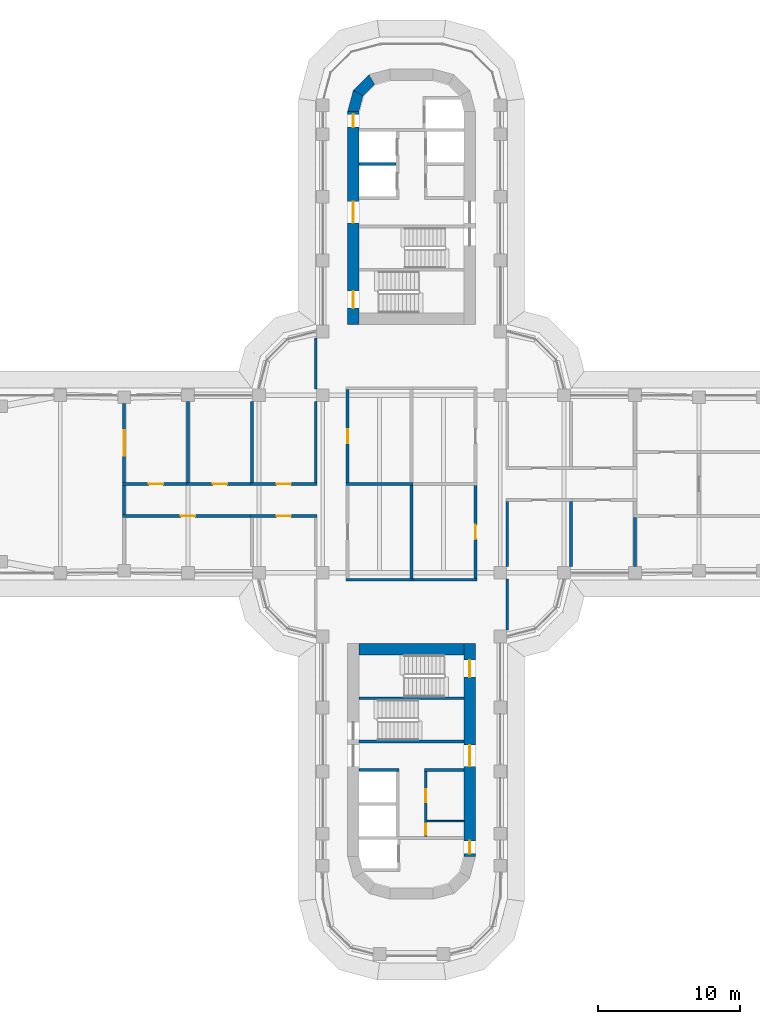
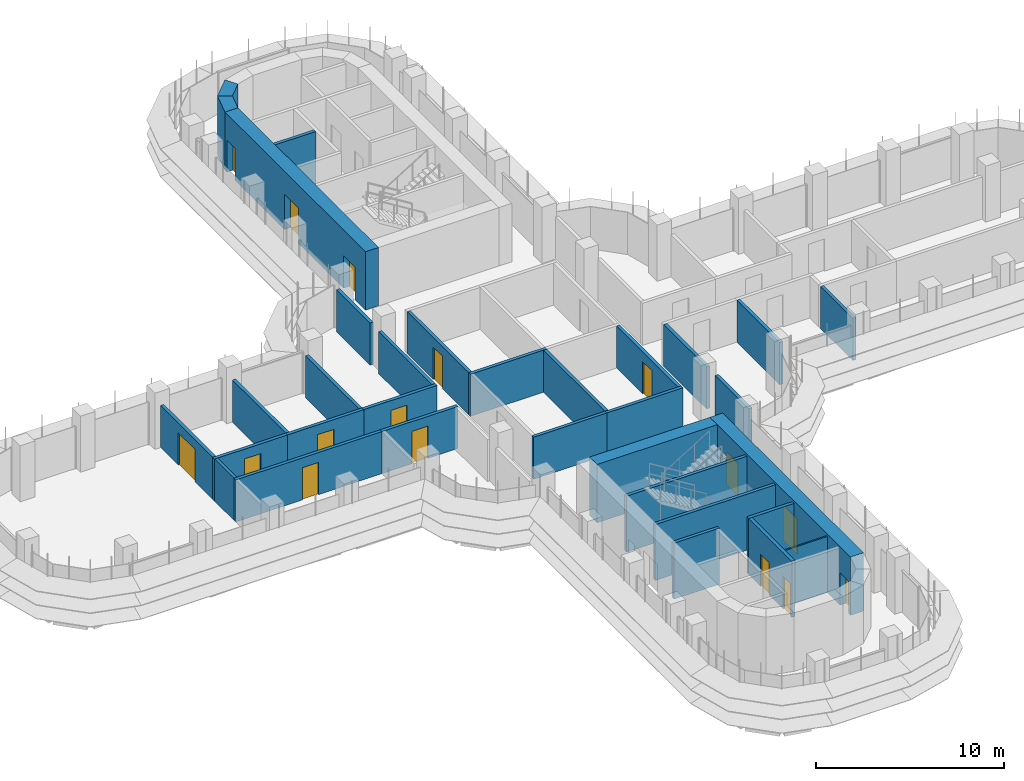
# One storey, part 16 of 22: 33 walls, 16 doors, 16 openings.
"""IFC4 building model written with IfcOpenShell, lengths in metres."""

import ifcopenshell
import ifcopenshell.guid

model = None  # the IFC model being written
_history = None  # IfcOwnerHistory: only IFC2X3 demands one
_inside = {}  # id of a spatial element -> (the spatial element, [elements in it])
_under = {}  # id of a project, library or spatial element -> (it, [spatial elements below it])
_declared = {}  # id of a project -> (the project, [libraries it declares])
_typed = {}  # id of a type object -> (the type object, [elements of that type])
_made_of = {}  # id of a material, layer set ... -> (it, [elements and type objects made of it])


def new_model(schema):
    """Start an empty IFC model of exactly this schema.

    Asked for "IFC4X3", IfcOpenShell would pick the latest addendum, in which some entities
    have other attributes; the version numbers below select the first issue.
    IFC2X3 requires an IfcOwnerHistory on every rooted entity: one is made here for all.
    """
    global model, _history
    if schema == "IFC4X3":
        model = ifcopenshell.file(schema_version=(4, 3, 0, 0))
    else:
        model = ifcopenshell.file(schema=schema)
    _inside.clear()
    _under.clear()
    _declared.clear()
    _typed.clear()
    _made_of.clear()
    _history = None
    if model.schema == "IFC2X3":
        org = make("IfcOrganization", Name="unknown")
        user = make(
            "IfcPersonAndOrganization",
            ThePerson=make("IfcPerson", FamilyName="unknown"),
            TheOrganization=org,
        )
        app = make(
            "IfcApplication",
            ApplicationDeveloper=org,
            Version="unknown",
            ApplicationFullName="unknown",
            ApplicationIdentifier="unknown",
        )
        _history = make(
            "IfcOwnerHistory",
            OwningUser=user,
            OwningApplication=app,
            ChangeAction="ADDED",
            CreationDate=0,
        )
    return model


def make(cls, **values):
    """One entity of the class cls with the attributes given. An attribute that is None is left unset."""
    return model.create_entity(
        cls, **{name: value for name, value in values.items() if value is not None}
    )


def rooted(cls, **values):
    """An entity with a GlobalId (a new one), such as an element, a storey or a relation."""
    return make(cls, GlobalId=ifcopenshell.guid.new(), OwnerHistory=_history, **values)


def si_unit(unit_type, name, prefix=None):
    """IfcSIUnit, for example si_unit("LENGTHUNIT", "METRE", prefix="MILLI")."""
    return make("IfcSIUnit", UnitType=unit_type, Prefix=prefix, Name=name)


def assignment(units):
    """IfcUnitAssignment: the units of a project."""
    return None if units is None else make("IfcUnitAssignment", Units=units)


def point(xyz):
    """IfcCartesianPoint."""
    return None if xyz is None else make("IfcCartesianPoint", Coordinates=xyz)


def direction(xyz):
    """IfcDirection."""
    return None if xyz is None else make("IfcDirection", DirectionRatios=xyz)


def frame(location, z_axis=None, x_axis=None):
    """IfcAxis2Placement3D, a coordinate frame: its origin and axes. An axis left out is left unset."""
    return make(
        "IfcAxis2Placement3D",
        Location=point(location),
        Axis=direction(z_axis),
        RefDirection=direction(x_axis),
    )


def frame_2d(location, x_axis=None):
    """IfcAxis2Placement2D, a coordinate frame in the plane: its origin and x axis."""
    return make(
        "IfcAxis2Placement2D", Location=point(location), RefDirection=direction(x_axis)
    )


def origin():
    """The frame at (0, 0, 0) with its axes left unset."""
    return frame((0.0, 0.0, 0.0))


def place(relative_to, where):
    """IfcLocalPlacement: puts the frame where relative to a parent placement (None: the world)."""
    return make(
        "IfcLocalPlacement", PlacementRelTo=relative_to, RelativePlacement=where
    )


def context(
    kind, dimensions, precision=None, world=None, true_north=None, identifier=None
):
    """IfcGeometricRepresentationContext, for example the 3D "Model" context."""
    return make(
        "IfcGeometricRepresentationContext",
        ContextIdentifier=identifier,
        ContextType=kind,
        CoordinateSpaceDimension=dimensions,
        Precision=precision,
        WorldCoordinateSystem=world,
        TrueNorth=true_north,
    )


def subcontext(parent, identifier, kind, view, scale=None):
    """IfcGeometricRepresentationSubContext, for example "Body" below "Model"."""
    return make(
        "IfcGeometricRepresentationSubContext",
        ContextIdentifier=identifier,
        ContextType=kind,
        ParentContext=parent,
        TargetScale=scale,
        TargetView=view,
    )


def project(units=None, contexts=None):
    """IfcProject with its units and contexts."""
    return rooted(
        "IfcProject",
        Name="project",
        RepresentationContexts=contexts,
        UnitsInContext=assignment(units),
    )


def spatial(cls, under=None, at=None, **own):
    """A site, building, storey or space (cls), placed at a placement, below another one or the project."""
    s = rooted(cls, ObjectPlacement=at, **own)
    if under is not None:
        _under.setdefault(under.id(), (under, []))[1].append(s)
    return s


def polyline(points):
    """IfcPolyline through the points."""
    return make("IfcPolyline", Points=[point(p) for p in points])


def profile(cls, at=None, kind="AREA", **sizes):
    """A parametric profile (cls). Its sizes go by their IFC names, for example OverallWidth=200.0."""
    return make(cls, ProfileType=kind, Position=at, **sizes)


def rectangle(**sizes):
    """IfcRectangleProfileDef."""
    return profile("IfcRectangleProfileDef", **sizes)


def outline(outer, holes=None, kind="AREA"):
    """IfcArbitraryClosedProfileDef: a profile drawn as a closed curve; with holes, ...WithVoids."""
    if holes is None:
        return make("IfcArbitraryClosedProfileDef", ProfileType=kind, OuterCurve=outer)
    return make(
        "IfcArbitraryProfileDefWithVoids",
        ProfileType=kind,
        OuterCurve=outer,
        InnerCurves=holes,
    )


def extrude(swept, where, along, depth):
    """IfcExtrudedAreaSolid: the profile swept, set in the frame where, extruded along a direction by depth."""
    return make(
        "IfcExtrudedAreaSolid",
        SweptArea=swept,
        Position=where,
        ExtrudedDirection=direction(along),
        Depth=depth,
    )


def shape(context_of_items, identifier, shape_type, items):
    """IfcShapeRepresentation: the items that make up one representation, for example the "Body"."""
    return make(
        "IfcShapeRepresentation",
        ContextOfItems=context_of_items,
        RepresentationIdentifier=identifier,
        RepresentationType=shape_type,
        Items=items,
    )


def material(Name=None, Category=None):
    """IfcMaterial."""
    return make("IfcMaterial", Name=Name, Category=Category)


def layer(
    of_material, thickness, ventilated=None, Name=None, Category=None, Priority=None
):
    """IfcMaterialLayer: one layer of a wall or slab, of a material (None: an air gap)."""
    return make(
        "IfcMaterialLayer",
        Material=of_material,
        LayerThickness=thickness,
        IsVentilated=ventilated,
        Name=Name,
        Category=Category,
        Priority=Priority,
    )


def layer_set(layers, Name=None):
    """IfcMaterialLayerSet."""
    return make("IfcMaterialLayerSet", MaterialLayers=layers, LayerSetName=Name)


def made_of(thing, what):
    """Note that an element or type object is made of a material, layer set ...; save() writes the relation."""
    if what is not None:
        _made_of.setdefault(what.id(), (what, []))[1].append(thing)
    return thing


def type_object(cls, material=None, **own):
    """A type object (cls), such as IfcWallType, which elements share."""
    return made_of(rooted(cls, **own), material)


def element(
    cls,
    number,
    at=None,
    inside=None,
    cuts=None,
    type_object=None,
    material=None,
    context=None,
    identifier="Body",
    shape_type=None,
    held_by="IfcProductDefinitionShape",
    body=None,
    shapes=None,
    **own,
):
    """One element of the class cls, such as IfcWall. Its Tag is "e" and its number.

    at: its placement. inside: the storey or other place that contains it. cuts: it is an
    opening in that element (IfcRelVoidsElement). A single representation is given by context,
    identifier, shape_type and body (its items); several are given by shapes. held_by: the class
    of the entity that holds the representations. save() writes the other relations.
    """
    e = rooted(cls, Tag="e%d" % number, ObjectPlacement=at, **own)
    if body is not None:
        shapes = [shape(context, identifier, shape_type, body)]
    if shapes is not None:
        e.Representation = make(held_by, Representations=shapes)
    if inside is not None:
        _inside.setdefault(inside.id(), (inside, []))[1].append(e)
    if cuts is not None:
        rooted(
            "IfcRelVoidsElement", RelatingBuildingElement=cuts, RelatedOpeningElement=e
        )
    if type_object is not None:
        _typed.setdefault(type_object.id(), (type_object, []))[1].append(e)
    return made_of(e, material)


def fill(opening, filler):
    """IfcRelFillsElement: the door or window that sits in an opening."""
    return rooted(
        "IfcRelFillsElement",
        RelatingOpeningElement=opening,
        RelatedBuildingElement=filler,
    )


def aggregate(whole, parts):
    """IfcRelAggregates: a whole, such as a stair, and the parts it consists of."""
    return rooted("IfcRelAggregates", RelatingObject=whole, RelatedObjects=parts)


def save(model, path):
    """Write the relations noted so far, then the file.

    IfcRelAggregates (storeys below a building ...), IfcRelContainedInSpatialStructure (elements
    in a storey), IfcRelDefinesByType, IfcRelAssociatesMaterial and IfcRelDeclares: one each for
    every whole, place, type object, material and project.
    """
    for whole, parts in _under.values():
        aggregate(whole, parts)
    for where, things in _inside.values():
        rooted(
            "IfcRelContainedInSpatialStructure",
            RelatedElements=things,
            RelatingStructure=where,
        )
    for kind, things in _typed.values():
        rooted("IfcRelDefinesByType", RelatedObjects=things, RelatingType=kind)
    for what, things in _made_of.values():
        rooted("IfcRelAssociatesMaterial", RelatedObjects=things, RelatingMaterial=what)
    for by, libraries in _declared.values():
        rooted("IfcRelDeclares", RelatingContext=by, RelatedDefinitions=libraries)
    model.write(path)


model = new_model("IFC4")

# Units and contexts
model_context = context("Model", 3, precision=1e-05, world=origin(), true_north=direction((0.0, 1.0)))
body_context = subcontext(model_context, "Body", "Model", "MODEL_VIEW")
ifc_project = project(units=[si_unit("LENGTHUNIT", "METRE"), si_unit("AREAUNIT", "SQUARE_METRE"), si_unit("VOLUMEUNIT", "CUBIC_METRE"), si_unit("PLANEANGLEUNIT", "RADIAN"), si_unit("MASSUNIT", "GRAM", prefix="KILO")], contexts=[model_context])

# Site, building, storey
site_placement = place(None, origin())
site = spatial("IfcSite", under=ifc_project, at=site_placement, CompositionType="ELEMENT")
building_placement = place(site_placement, origin())
building = spatial("IfcBuilding", under=site, at=building_placement, Name="Zarbagh Exchange Tower", CompositionType="ELEMENT")
storey_placement = place(building_placement, frame((0.0, 0.0, 109.39990234375)))
storey = spatial("IfcBuildingStorey", under=building, at=storey_placement, Name="L25", CompositionType="ELEMENT", Elevation=109.39990234375)

# Wall
ifc_material_1 = material(Name="Dense blockwork", Category="masonry")
ifc_layer_1 = layer(ifc_material_1, 0.10009765625)
ifc_layer_set_1 = layer_set([ifc_layer_1], Name="Core partition 100 mm blockwork")
wall_type_1 = type_object("IfcWallType", Name="Core partition 100 mm blockwork", PredefinedType="PARTITIONING", material=ifc_layer_set_1)
wall_1_placement = place(storey_placement, frame((3.699951171875, -23.75, 0.0), z_axis=(0.0, 0.0, 1.0), x_axis=(-1.0, 0.0, 0.0)))
element("IfcWall", 1, at=wall_1_placement, inside=storey, type_object=wall_type_1, Name="South core partition wall CUT-W-460", PredefinedType="PARTITIONING", context=body_context, shape_type="SweptSolid", body=[
    extrude(rectangle(XDim=2.599853515625, YDim=0.10009765625, at=frame_2d((1.2998046875, 0.0))), origin(), (0.0, 0.0, 1.0), 3.650146484375),
])

# Wall, opening, door
ifc_material_2 = material(Name="Fire-rated plasterboard partition")
ifc_layer_2 = layer(ifc_material_2, 0.199951171875)
ifc_layer_set_2 = layer_set([ifc_layer_2], Name="RATED PARTITION 200")
wall_type_2 = type_object("IfcWallType", Name="RATED PARTITION 200", PredefinedType="PARTITIONING", material=ifc_layer_set_2)
wall_2_placement = place(storey_placement, frame((-4.5, 6.64990234375, 0.0), z_axis=(0.0, 0.0, 1.0), x_axis=(0.0, -1.0, 0.0)))
wall_2 = element("IfcWall", 2, at=wall_2_placement, inside=storey, type_object=wall_type_2, Name="Partition W-901", PredefinedType="PARTITIONING", context=body_context, shape_type="SweptSolid", body=[
    extrude(rectangle(XDim=6.5498046875, YDim=0.199951171875, at=frame_2d((3.27490234375, 0.0))), origin(), (0.0, 0.0, 1.0), 2.73828125),
])
opening_1_placement = place(wall_2_placement, frame((2.77490234375, 0.0, 0.0)))
opening_1 = element("IfcOpeningElement", 3, at=opening_1_placement, cuts=wall_2, Name="Opening D-902", PredefinedType="OPENING", context=body_context, shape_type="SweptSolid", body=[
    extrude(rectangle(XDim=1.0, YDim=2.10009765625, at=frame_2d((0.5, 1.050048828125))), frame((0.0, 0.10986328125, 0.0), z_axis=(0.0, -1.0, 0.0), x_axis=(1.0, 0.0, 0.0)), (0.0, 0.0, 1.0), 0.219970703125),
])
ifc_material_3 = material(Name="Steel door set", Category="steel")
door_type_1 = type_object("IfcDoorType", Name="FIRE DOOR 1000 X 2100 FD30S", OperationType="NOTDEFINED", PredefinedType="DOOR", material=ifc_material_3)
door_1_placement = place(opening_1_placement, origin())
door_1 = element("IfcDoor", 4, at=door_1_placement, inside=storey, type_object=door_type_1, Name="Door D-902", OperationType="SINGLE_SWING_RIGHT", OverallHeight=2.10009765625, OverallWidth=1.0, PredefinedType="DOOR", context=body_context, shape_type="SweptSolid", body=[
    extrude(rectangle(XDim=1.0, YDim=2.10009765625, at=frame_2d((0.5, 1.050048828125))), frame((0.0, 0.02490234375, 0.0), z_axis=(0.0, -1.0, 0.0), x_axis=(1.0, 0.0, 0.0)), (0.0, 0.0, 1.0), 0.050048828125),
])
fill(opening_1, door_1)

# Walls
wall_3_placement = place(storey_placement, frame((-6.75, 0.10009765625, 0.0), z_axis=(0.0, 0.0, 1.0), x_axis=(0.0, 1.0, 0.0)))
element("IfcWall", 5, at=wall_3_placement, inside=storey, type_object=wall_type_2, Name="Partition W-903", PredefinedType="PARTITIONING", context=body_context, shape_type="SweptSolid", body=[
    extrude(rectangle(XDim=5.699951171875, YDim=0.199951171875, at=frame_2d((2.85009765625, 0.0))), origin(), (0.0, 0.0, 1.0), 2.73828125),
])
wall_4_placement = place(storey_placement, frame((-6.75, 6.699951171875, 0.0), z_axis=(0.0, 0.0, 1.0), x_axis=(0.0, 1.0, 0.0)))
element("IfcWall", 6, at=wall_4_placement, inside=storey, type_object=wall_type_2, Name="Partition W-904", PredefinedType="PARTITIONING", context=body_context, shape_type="SweptSolid", body=[
    extrude(rectangle(XDim=3.60009765625, YDim=0.199951171875, at=frame_2d((1.800048828125, 0.0))), origin(), (0.0, 0.0, 1.0), 2.73828125),
])

# Wall, opening, door
wall_5_placement = place(storey_placement, frame((4.5, -6.64990234375, 0.0), z_axis=(0.0, 0.0, 1.0), x_axis=(0.0, 1.0, 0.0)))
wall_5 = element("IfcWall", 7, at=wall_5_placement, inside=storey, type_object=wall_type_2, Name="Partition W-908", PredefinedType="PARTITIONING", context=body_context, shape_type="SweptSolid", body=[
    extrude(rectangle(XDim=6.5498046875, YDim=0.199951171875, at=frame_2d((3.27490234375, 0.0))), origin(), (0.0, 0.0, 1.0), 2.73828125),
])
opening_2_placement = place(wall_5_placement, frame((2.77490234375, 0.0, 0.0)))
opening_2 = element("IfcOpeningElement", 8, at=opening_2_placement, cuts=wall_5, Name="Opening D-903", PredefinedType="OPENING", context=body_context, shape_type="SweptSolid", body=[
    extrude(rectangle(XDim=1.0, YDim=2.10009765625, at=frame_2d((0.5, 1.050048828125))), frame((0.0, 0.10986328125, 0.0), z_axis=(0.0, -1.0, 0.0), x_axis=(1.0, 0.0, 0.0)), (0.0, 0.0, 1.0), 0.219970703125),
])
door_2_placement = place(opening_2_placement, origin())
door_2 = element("IfcDoor", 9, at=door_2_placement, inside=storey, type_object=door_type_1, Name="Door D-903", OperationType="SINGLE_SWING_RIGHT", OverallHeight=2.10009765625, OverallWidth=1.0, PredefinedType="DOOR", context=body_context, shape_type="SweptSolid", body=[
    extrude(rectangle(XDim=1.0, YDim=2.10009765625, at=frame_2d((0.5, 1.050048828125))), frame((0.0, 0.02490234375, 0.0), z_axis=(0.0, -1.0, 0.0), x_axis=(1.0, 0.0, 0.0)), (0.0, 0.0, 1.0), 0.050048828125),
])
fill(opening_2, door_2)

# Walls
wall_6_placement = place(storey_placement, frame((6.75, -10.300048828125, 0.0), z_axis=(0.0, 0.0, 1.0), x_axis=(0.0, 1.0, 0.0)))
element("IfcWall", 10, at=wall_6_placement, inside=storey, type_object=wall_type_2, Name="Partition W-911", PredefinedType="PARTITIONING", context=body_context, shape_type="SweptSolid", body=[
    extrude(rectangle(XDim=3.60009765625, YDim=0.199951171875, at=frame_2d((1.800048828125, 0.0))), origin(), (0.0, 0.0, 1.0), 2.73828125),
])
wall_7_placement = place(storey_placement, frame((6.75, -5.800048828125, 0.0), z_axis=(0.0, 0.0, 1.0), x_axis=(0.0, 1.0, 0.0)))
element("IfcWall", 11, at=wall_7_placement, inside=storey, type_object=wall_type_2, Name="Partition W-912", PredefinedType="PARTITIONING", context=body_context, shape_type="SweptSolid", body=[
    extrude(rectangle(XDim=4.574951171875, YDim=0.199951171875, at=frame_2d((2.28759765625, 0.0))), origin(), (0.0, 0.0, 1.0), 2.73828125),
])
for number, where, z_axis, x_axis, name in (
    (12, (-4.60009765625, -6.75, 0.0), (0.0, 0.0, 1.0), (1.0, 0.0, 0.0), "Partition W-915"),
    (13, (-0.10009765625, -6.75, 0.0), (0.0, 0.0, 1.0), (1.0, 0.0, 0.0), "Partition W-916"),
    (14, (-4.60009765625, 0.0, 0.0), (0.0, 0.0, 1.0), (1.0, 0.0, 0.0), "Partition W-918"),
):
    element("IfcWall", number, at=place(storey_placement, frame(where, z_axis=z_axis, x_axis=x_axis)), inside=storey, type_object=wall_type_2, Name=name, PredefinedType="PARTITIONING", context=body_context, shape_type="SweptSolid", body=[
        extrude(rectangle(XDim=4.7001953125, YDim=0.199951171875, at=frame_2d((2.35009765625, 0.0))), origin(), (0.0, 0.0, 1.0), 2.73828125),
    ])
wall_8_placement = place(storey_placement, frame((0.0, -6.64990234375, 0.0), z_axis=(0.0, 0.0, 1.0), x_axis=(0.0, 1.0, 0.0)))
element("IfcWall", 15, at=wall_8_placement, inside=storey, type_object=wall_type_2, Name="Partition W-920", PredefinedType="PARTITIONING", context=body_context, shape_type="SweptSolid", body=[
    extrude(rectangle(XDim=6.5498046875, YDim=0.199951171875, at=frame_2d((3.27490234375, 0.0))), origin(), (0.0, 0.0, 1.0), 2.73828125),
])
wall_9_placement = place(storey_placement, frame((11.25, -5.800048828125, 0.0), z_axis=(0.0, 0.0, 1.0), x_axis=(0.0, 1.0, 0.0)))
element("IfcWall", 16, at=wall_9_placement, inside=storey, type_object=wall_type_2, Name="Partition W-926", PredefinedType="PARTITIONING", context=body_context, shape_type="SweptSolid", body=[
    extrude(rectangle(XDim=4.574951171875, YDim=0.199951171875, at=frame_2d((2.28759765625, 0.0))), origin(), (0.0, 0.0, 1.0), 2.73828125),
])
wall_10_placement = place(storey_placement, frame((15.75, -5.800048828125, 0.0), z_axis=(0.0, 0.0, 1.0), x_axis=(0.0, 1.0, 0.0)))
element("IfcWall", 17, at=wall_10_placement, inside=storey, type_object=wall_type_2, Name="Partition W-930", PredefinedType="PARTITIONING", context=body_context, shape_type="SweptSolid", body=[
    extrude(rectangle(XDim=3.449951171875, YDim=0.199951171875, at=frame_2d((1.72509765625, 0.0))), origin(), (0.0, 0.0, 1.0), 2.73828125),
])

# Wall, opening, door
wall_11_placement = place(storey_placement, frame((-11.35009765625, 0.0, 0.0), z_axis=(0.0, 0.0, 1.0), x_axis=(1.0, 0.0, 0.0)))
wall_11 = element("IfcWall", 18, at=wall_11_placement, inside=storey, type_object=wall_type_2, Name="Partition W-938", PredefinedType="PARTITIONING", context=body_context, shape_type="SweptSolid", body=[
    extrude(rectangle(XDim=4.7001953125, YDim=0.199951171875, at=frame_2d((2.35009765625, 0.0))), origin(), (0.0, 0.0, 1.0), 2.73828125),
])
opening_3_placement = place(wall_11_placement, frame((1.85009765625, 0.0, 0.0)))
opening_3 = element("IfcOpeningElement", 19, at=opening_3_placement, cuts=wall_11, Name="Opening D-913", PredefinedType="OPENING", context=body_context, shape_type="SweptSolid", body=[
    extrude(rectangle(XDim=1.0, YDim=2.10009765625, at=frame_2d((0.5, 1.050048828125))), frame((0.0, 0.10986328125, 0.0), z_axis=(0.0, -1.0, 0.0), x_axis=(1.0, 0.0, 0.0)), (0.0, 0.0, 1.0), 0.219970703125),
])
door_3_placement = place(opening_3_placement, origin())
door_3 = element("IfcDoor", 20, at=door_3_placement, inside=storey, type_object=door_type_1, Name="Door D-913", OperationType="SINGLE_SWING_RIGHT", OverallHeight=2.10009765625, OverallWidth=1.0, PredefinedType="DOOR", context=body_context, shape_type="SweptSolid", body=[
    extrude(rectangle(XDim=1.0, YDim=2.10009765625, at=frame_2d((0.5, 1.050048828125))), frame((0.0, 0.02490234375, 0.0), z_axis=(0.0, -1.0, 0.0), x_axis=(1.0, 0.0, 0.0)), (0.0, 0.0, 1.0), 0.050048828125),
])
fill(opening_3, door_3)

wall_12_placement = place(storey_placement, frame((-6.64990234375, -2.25, 0.0), z_axis=(0.0, 0.0, 1.0), x_axis=(-1.0, 0.0, 0.0)))
wall_12 = element("IfcWall", 21, at=wall_12_placement, inside=storey, type_object=wall_type_2, Name="Partition W-939", PredefinedType="PARTITIONING", context=body_context, shape_type="SweptSolid", body=[
    extrude(rectangle(XDim=4.7001953125, YDim=0.199951171875, at=frame_2d((2.35009765625, 0.0))), origin(), (0.0, 0.0, 1.0), 2.73828125),
])
opening_4_placement = place(wall_12_placement, frame((1.85009765625, 0.0, 0.0)))
opening_4 = element("IfcOpeningElement", 22, at=opening_4_placement, cuts=wall_12, Name="Opening D-916", PredefinedType="OPENING", context=body_context, shape_type="SweptSolid", body=[
    extrude(rectangle(XDim=1.0, YDim=2.10009765625, at=frame_2d((0.5, 1.050048828125))), frame((0.0, 0.10986328125, 0.0), z_axis=(0.0, -1.0, 0.0), x_axis=(1.0, 0.0, 0.0)), (0.0, 0.0, 1.0), 0.219970703125),
])
door_4_placement = place(opening_4_placement, origin())
door_4 = element("IfcDoor", 23, at=door_4_placement, inside=storey, type_object=door_type_1, Name="Door D-916", OperationType="SINGLE_SWING_RIGHT", OverallHeight=2.10009765625, OverallWidth=1.0, PredefinedType="DOOR", context=body_context, shape_type="SweptSolid", body=[
    extrude(rectangle(XDim=1.0, YDim=2.10009765625, at=frame_2d((0.5, 1.050048828125))), frame((0.0, 0.02490234375, 0.0), z_axis=(0.0, -1.0, 0.0), x_axis=(1.0, 0.0, 0.0)), (0.0, 0.0, 1.0), 0.050048828125),
])
fill(opening_4, door_4)

wall_13_placement = place(storey_placement, frame((-15.85009765625, 0.0, 0.0), z_axis=(0.0, 0.0, 1.0), x_axis=(1.0, 0.0, 0.0)))
wall_13 = element("IfcWall", 24, at=wall_13_placement, inside=storey, type_object=wall_type_2, Name="Partition W-940", PredefinedType="PARTITIONING", context=body_context, shape_type="SweptSolid", body=[
    extrude(rectangle(XDim=4.7001953125, YDim=0.199951171875, at=frame_2d((2.35009765625, 0.0))), origin(), (0.0, 0.0, 1.0), 2.73828125),
])
opening_5_placement = place(wall_13_placement, frame((1.85009765625, 0.0, 0.0)))
opening_5 = element("IfcOpeningElement", 25, at=opening_5_placement, cuts=wall_13, Name="Opening D-914", PredefinedType="OPENING", context=body_context, shape_type="SweptSolid", body=[
    extrude(rectangle(XDim=1.0, YDim=2.10009765625, at=frame_2d((0.5, 1.050048828125))), frame((0.0, 0.10986328125, 0.0), z_axis=(0.0, -1.0, 0.0), x_axis=(1.0, 0.0, 0.0)), (0.0, 0.0, 1.0), 0.219970703125),
])
door_5_placement = place(opening_5_placement, origin())
door_5 = element("IfcDoor", 26, at=door_5_placement, inside=storey, type_object=door_type_1, Name="Door D-914", OperationType="SINGLE_SWING_RIGHT", OverallHeight=2.10009765625, OverallWidth=1.0, PredefinedType="DOOR", context=body_context, shape_type="SweptSolid", body=[
    extrude(rectangle(XDim=1.0, YDim=2.10009765625, at=frame_2d((0.5, 1.050048828125))), frame((0.0, 0.02490234375, 0.0), z_axis=(0.0, -1.0, 0.0), x_axis=(1.0, 0.0, 0.0)), (0.0, 0.0, 1.0), 0.050048828125),
])
fill(opening_5, door_5)

wall_14_placement = place(storey_placement, frame((-20.35009765625, 0.0, 0.0), z_axis=(0.0, 0.0, 1.0), x_axis=(1.0, 0.0, 0.0)))
wall_14 = element("IfcWall", 27, at=wall_14_placement, inside=storey, type_object=wall_type_2, Name="Partition W-941", PredefinedType="PARTITIONING", context=body_context, shape_type="SweptSolid", body=[
    extrude(rectangle(XDim=4.7001953125, YDim=0.199951171875, at=frame_2d((2.35009765625, 0.0))), origin(), (0.0, 0.0, 1.0), 2.73828125),
])
opening_6_placement = place(wall_14_placement, frame((1.85009765625, 0.0, 0.0)))
opening_6 = element("IfcOpeningElement", 28, at=opening_6_placement, cuts=wall_14, Name="Opening D-915", PredefinedType="OPENING", context=body_context, shape_type="SweptSolid", body=[
    extrude(rectangle(XDim=1.0, YDim=2.10009765625, at=frame_2d((0.5, 1.050048828125))), frame((0.0, 0.10986328125, 0.0), z_axis=(0.0, -1.0, 0.0), x_axis=(1.0, 0.0, 0.0)), (0.0, 0.0, 1.0), 0.219970703125),
])
door_6_placement = place(opening_6_placement, origin())
door_6 = element("IfcDoor", 29, at=door_6_placement, inside=storey, type_object=door_type_1, Name="Door D-915", OperationType="SINGLE_SWING_RIGHT", OverallHeight=2.10009765625, OverallWidth=1.0, PredefinedType="DOOR", context=body_context, shape_type="SweptSolid", body=[
    extrude(rectangle(XDim=1.0, YDim=2.10009765625, at=frame_2d((0.5, 1.050048828125))), frame((0.0, 0.02490234375, 0.0), z_axis=(0.0, -1.0, 0.0), x_axis=(1.0, 0.0, 0.0)), (0.0, 0.0, 1.0), 0.050048828125),
])
fill(opening_6, door_6)

wall_15_placement = place(storey_placement, frame((-11.14990234375, -2.25, 0.0), z_axis=(0.0, 0.0, 1.0), x_axis=(-1.0, 0.0, 0.0)))
wall_15 = element("IfcWall", 30, at=wall_15_placement, inside=storey, type_object=wall_type_2, Name="Partition W-942", PredefinedType="PARTITIONING", context=body_context, shape_type="SweptSolid", body=[
    extrude(rectangle(XDim=9.2001953125, YDim=0.199951171875, at=frame_2d((4.60009765625, 0.0))), origin(), (0.0, 0.0, 1.0), 2.73828125),
])
opening_7_placement = place(wall_15_placement, frame((4.10009765625, 0.0, 0.0)))
opening_7 = element("IfcOpeningElement", 31, at=opening_7_placement, cuts=wall_15, Name="Opening D-917", PredefinedType="OPENING", context=body_context, shape_type="SweptSolid", body=[
    extrude(rectangle(XDim=1.0, YDim=2.10009765625, at=frame_2d((0.5, 1.050048828125))), frame((0.0, 0.10986328125, 0.0), z_axis=(0.0, -1.0, 0.0), x_axis=(1.0, 0.0, 0.0)), (0.0, 0.0, 1.0), 0.219970703125),
])
door_7_placement = place(opening_7_placement, origin())
door_7 = element("IfcDoor", 32, at=door_7_placement, inside=storey, type_object=door_type_1, Name="Door D-917", OperationType="SINGLE_SWING_LEFT", OverallHeight=2.10009765625, OverallWidth=1.0, PredefinedType="DOOR", context=body_context, shape_type="SweptSolid", body=[
    extrude(rectangle(XDim=1.0, YDim=2.10009765625, at=frame_2d((0.5, 1.050048828125))), frame((0.0, 0.02490234375, 0.0), z_axis=(0.0, -1.0, 0.0), x_axis=(1.0, 0.0, 0.0)), (0.0, 0.0, 1.0), 0.050048828125),
])
fill(opening_7, door_7)

# Walls
wall_16_placement = place(storey_placement, frame((-20.25, -2.14990234375, 0.0), z_axis=(0.0, 0.0, 1.0), x_axis=(0.0, 1.0, 0.0)))
element("IfcWall", 33, at=wall_16_placement, inside=storey, type_object=wall_type_2, Name="Partition W-943", PredefinedType="PARTITIONING", context=body_context, shape_type="SweptSolid", body=[
    extrude(rectangle(XDim=2.0498046875, YDim=0.199951171875, at=frame_2d((1.02490234375, 0.0))), origin(), (0.0, 0.0, 1.0), 2.73828125),
])
for number, where, z_axis, x_axis, name in (
    (34, (-11.25, 0.10009765625, 0.0), (0.0, 0.0, 1.0), (0.0, 1.0, 0.0), "Partition W-944"),
    (35, (-15.75, 0.10009765625, 0.0), (0.0, 0.0, 1.0), (0.0, 1.0, 0.0), "Partition W-946"),
):
    element("IfcWall", number, at=place(storey_placement, frame(where, z_axis=z_axis, x_axis=x_axis)), inside=storey, type_object=wall_type_2, Name=name, PredefinedType="PARTITIONING", context=body_context, shape_type="SweptSolid", body=[
        extrude(rectangle(XDim=5.699951171875, YDim=0.199951171875, at=frame_2d((2.85009765625, 0.0))), origin(), (0.0, 0.0, 1.0), 2.73828125),
    ])

# Wall, opening, door
wall_17_placement = place(storey_placement, frame((-20.25, 0.10009765625, 0.0), z_axis=(0.0, 0.0, 1.0), x_axis=(0.0, 1.0, 0.0)))
wall_17 = element("IfcWall", 36, at=wall_17_placement, inside=storey, type_object=wall_type_2, Name="Partition W-947", PredefinedType="PARTITIONING", context=body_context, shape_type="SweptSolid", body=[
    extrude(rectangle(XDim=5.559814453125, YDim=0.199951171875, at=frame_2d((2.77978515625, 0.0))), origin(), (0.0, 0.0, 1.0), 2.73828125),
])
opening_8_placement = place(wall_17_placement, frame((1.8798828125, 0.0, 0.0)))
opening_8 = element("IfcOpeningElement", 37, at=opening_8_placement, cuts=wall_17, Name="Opening D-912", PredefinedType="OPENING", context=body_context, shape_type="SweptSolid", body=[
    extrude(rectangle(XDim=1.800048828125, YDim=2.10009765625, at=frame_2d((0.89990234375, 1.050048828125))), frame((0.0, 0.10986328125, 0.0), z_axis=(0.0, -1.0, 0.0), x_axis=(1.0, 0.0, 0.0)), (0.0, 0.0, 1.0), 0.219970703125),
])
door_type_2 = type_object("IfcDoorType", Name="FIRE DOUBLE DOOR 1800 X 2100 FD30S", OperationType="DOUBLE_DOOR_SINGLE_SWING", PredefinedType="DOOR", material=ifc_material_3)
door_8_placement = place(opening_8_placement, origin())
door_8 = element("IfcDoor", 38, at=door_8_placement, inside=storey, type_object=door_type_2, Name="Door D-912", OperationType="DOUBLE_DOOR_SINGLE_SWING", OverallHeight=2.10009765625, OverallWidth=1.800048828125, PredefinedType="DOOR", context=body_context, shape_type="SweptSolid", body=[
    extrude(rectangle(XDim=1.800048828125, YDim=2.10009765625, at=frame_2d((0.89990234375, 1.050048828125))), frame((0.0, 0.02490234375, 0.0), z_axis=(0.0, -1.0, 0.0), x_axis=(1.0, 0.0, 0.0)), (0.0, 0.0, 1.0), 0.050048828125),
])
fill(opening_8, door_8)

# Walls
ifc_material_4 = material(Name="Concrete C60/75", Category="concrete")
ifc_layer_3 = layer(ifc_material_4, 0.800048828125)
ifc_layer_set_3 = layer_set([ifc_layer_3], Name="RC core corner wall 800 C60/75")
wall_type_3 = type_object("IfcWallType", Name="RC core corner wall 800 C60/75", PredefinedType="SHEAR", material=ifc_layer_set_3)
wall_18_placement = place(storey_placement, origin())
element("IfcWall", 39, at=wall_18_placement, inside=storey, type_object=wall_type_3, Name="CW4 core N corner W", PredefinedType="SHEAR", context=body_context, shape_type="SweptSolid", body=[
    extrude(outline(polyline([(-4.5, 26.25), (-4.09814453125, 27.75), (-3.4052734375, 27.35009765625), (-3.699951171875, 26.25), (-4.5, 26.25)])), origin(), (0.0, 0.0, 1.0), 3.800048828125),
])
wall_19_placement = place(storey_placement, origin())
element("IfcWall", 40, at=wall_19_placement, inside=storey, type_object=wall_type_3, Name="CW4 core N corner W", PredefinedType="SHEAR", context=body_context, shape_type="SweptSolid", body=[
    extrude(outline(polyline([(-4.09814453125, 27.75), (-3.0, 28.84814453125), (-2.60009765625, 28.1552734375), (-3.4052734375, 27.35009765625), (-4.09814453125, 27.75)])), origin(), (0.0, 0.0, 1.0), 3.800048828125),
])

# Wall, openings, doors
ifc_layer_4 = layer(ifc_material_4, 0.800048828125)
ifc_layer_set_4 = layer_set([ifc_layer_4], Name="RC core wall 800 C60/75")
wall_type_4 = type_object("IfcWallType", Name="RC core wall 800 C60/75", PredefinedType="SHEAR", material=ifc_layer_set_4)
wall_20_placement = place(storey_placement, frame((-4.10009765625, 11.25, 0.0), z_axis=(0.0, 0.0, 1.0), x_axis=(0.0, 1.0, 0.0)))
wall_20 = element("IfcWall", 41, at=wall_20_placement, inside=storey, type_object=wall_type_4, Name="CW3 core N W", PredefinedType="SHEAR", context=body_context, shape_type="SweptSolid", body=[
    extrude(rectangle(XDim=15.0, YDim=0.800048828125, at=frame_2d((7.5, 0.0))), origin(), (0.0, 0.0, 1.0), 3.800048828125),
])
opening_9_placement = place(wall_20_placement, frame((7.14990234375, 0.0, 0.0)))
opening_9 = element("IfcOpeningElement", 42, at=opening_9_placement, cuts=wall_20, Name="Opening CD1-1500", PredefinedType="OPENING", context=body_context, shape_type="SweptSolid", body=[
    extrude(rectangle(XDim=1.5, YDim=2.300048828125, at=frame_2d((0.75, 1.14990234375))), frame((0.0, 0.409912109375, 0.0), z_axis=(0.0, -1.0, 0.0), x_axis=(1.0, 0.0, 0.0)), (0.0, 0.0, 1.0), 0.820068359375),
])
opening_10_placement = place(wall_20_placement, frame((13.89990234375, 0.0, 0.0)))
opening_10 = element("IfcOpeningElement", 43, at=opening_10_placement, cuts=wall_20, Name="Opening CD2-900", PredefinedType="OPENING", context=body_context, shape_type="SweptSolid", body=[
    extrude(rectangle(XDim=0.89990234375, YDim=2.10009765625, at=frame_2d((0.449951171875, 1.050048828125))), frame((0.0, 0.409912109375, 0.0), z_axis=(0.0, -1.0, 0.0), x_axis=(1.0, 0.0, 0.0)), (0.0, 0.0, 1.0), 0.820068359375),
])
opening_11_placement = place(wall_20_placement, frame((1.14990234375, 0.0, 0.0)))
opening_11 = element("IfcOpeningElement", 44, at=opening_11_placement, cuts=wall_20, Name="Opening SD1-1200", PredefinedType="OPENING", context=body_context, shape_type="SweptSolid", body=[
    extrude(rectangle(XDim=1.199951171875, YDim=2.10009765625, at=frame_2d((0.60009765625, 1.050048828125))), frame((0.0, 0.409912109375, 0.0), z_axis=(0.0, -1.0, 0.0), x_axis=(1.0, 0.0, 0.0)), (0.0, 0.0, 1.0), 0.820068359375),
])
ifc_material_5 = material(Name="Steel", Category="steel")
door_type_3 = type_object("IfcDoorType", Name="Exit stair door 1200 x 2100", OperationType="NOTDEFINED", PredefinedType="DOOR", material=ifc_material_5)
door_9_placement = place(opening_11_placement, origin())
door_9 = element("IfcDoor", 45, at=door_9_placement, inside=storey, type_object=door_type_3, Name="North core stair door ST2", OperationType="SINGLE_SWING_LEFT", OverallHeight=2.10009765625, OverallWidth=1.199951171875, PredefinedType="DOOR", context=body_context, shape_type="SweptSolid", body=[
    extrude(rectangle(XDim=1.199951171875, YDim=2.10009765625, at=frame_2d((0.60009765625, 1.050048828125))), frame((0.0, 0.02490234375, 0.0), z_axis=(0.0, -1.0, 0.0), x_axis=(1.0, 0.0, 0.0)), (0.0, 0.0, 1.0), 0.050048828125),
])
fill(opening_11, door_9)
door_type_4 = type_object("IfcDoorType", Name="Firefighting lobby door 900 x 2100", OperationType="NOTDEFINED", PredefinedType="DOOR", material=ifc_material_5)
door_10_placement = place(opening_10_placement, origin())
door_10 = element("IfcDoor", 46, at=door_10_placement, inside=storey, type_object=door_type_4, Name="North core firefighting lobby door FF-W", OperationType="SINGLE_SWING_RIGHT", OverallHeight=2.10009765625, OverallWidth=0.89990234375, PredefinedType="DOOR", context=body_context, shape_type="SweptSolid", body=[
    extrude(rectangle(XDim=0.89990234375, YDim=2.10009765625, at=frame_2d((0.449951171875, 1.050048828125))), frame((0.0, 0.02490234375, 0.0), z_axis=(0.0, -1.0, 0.0), x_axis=(1.0, 0.0, 0.0)), (0.0, 0.0, 1.0), 0.050048828125),
])
fill(opening_10, door_10)
door_type_5 = type_object("IfcDoorType", Name="Lift lobby double door 1500 x 2300", OperationType="NOTDEFINED", PredefinedType="DOOR", material=ifc_material_5)
door_11_placement = place(opening_9_placement, origin())
door_11 = element("IfcDoor", 47, at=door_11_placement, inside=storey, type_object=door_type_5, Name="North core lift lobby door LOBBY-W", OperationType="DOUBLE_DOOR_SINGLE_SWING", OverallHeight=2.300048828125, OverallWidth=1.5, PredefinedType="DOOR", context=body_context, shape_type="SweptSolid", body=[
    extrude(rectangle(XDim=1.5, YDim=2.300048828125, at=frame_2d((0.75, 1.14990234375))), frame((0.0, 0.02490234375, 0.0), z_axis=(0.0, -1.0, 0.0), x_axis=(1.0, 0.0, 0.0)), (0.0, 0.0, 1.0), 0.050048828125),
])
fill(opening_9, door_11)

wall_21_placement = place(storey_placement, frame((4.10009765625, -11.25, 0.0), z_axis=(0.0, 0.0, 1.0), x_axis=(0.0, -1.0, 0.0)))
wall_21 = element("IfcWall", 48, at=wall_21_placement, inside=storey, type_object=wall_type_4, Name="CW3 core S E", PredefinedType="SHEAR", context=body_context, shape_type="SweptSolid", body=[
    extrude(rectangle(XDim=15.0, YDim=0.800048828125, at=frame_2d((7.5, 0.0))), origin(), (0.0, 0.0, 1.0), 3.800048828125),
])
opening_12_placement = place(wall_21_placement, frame((7.14990234375, 0.0, 0.0)))
opening_12 = element("IfcOpeningElement", 49, at=opening_12_placement, cuts=wall_21, Name="Opening CD1-1500", PredefinedType="OPENING", context=body_context, shape_type="SweptSolid", body=[
    extrude(rectangle(XDim=1.5, YDim=2.300048828125, at=frame_2d((0.75, 1.14990234375))), frame((0.0, 0.409912109375, 0.0), z_axis=(0.0, -1.0, 0.0), x_axis=(1.0, 0.0, 0.0)), (0.0, 0.0, 1.0), 0.820068359375),
])
opening_13_placement = place(wall_21_placement, frame((13.89990234375, 0.0, 0.0)))
opening_13 = element("IfcOpeningElement", 50, at=opening_13_placement, cuts=wall_21, Name="Opening CD2-900", PredefinedType="OPENING", context=body_context, shape_type="SweptSolid", body=[
    extrude(rectangle(XDim=0.89990234375, YDim=2.10009765625, at=frame_2d((0.449951171875, 1.050048828125))), frame((0.0, 0.409912109375, 0.0), z_axis=(0.0, -1.0, 0.0), x_axis=(1.0, 0.0, 0.0)), (0.0, 0.0, 1.0), 0.820068359375),
])
opening_14_placement = place(wall_21_placement, frame((1.14990234375, 0.0, 0.0)))
opening_14 = element("IfcOpeningElement", 51, at=opening_14_placement, cuts=wall_21, Name="Opening SD1-1200", PredefinedType="OPENING", context=body_context, shape_type="SweptSolid", body=[
    extrude(rectangle(XDim=1.199951171875, YDim=2.10009765625, at=frame_2d((0.60009765625, 1.050048828125))), frame((0.0, 0.409912109375, 0.0), z_axis=(0.0, -1.0, 0.0), x_axis=(1.0, 0.0, 0.0)), (0.0, 0.0, 1.0), 0.820068359375),
])
door_12_placement = place(opening_14_placement, origin())
door_12 = element("IfcDoor", 52, at=door_12_placement, inside=storey, type_object=door_type_3, Name="South core stair door ST2", OperationType="SINGLE_SWING_RIGHT", OverallHeight=2.10009765625, OverallWidth=1.199951171875, PredefinedType="DOOR", context=body_context, shape_type="SweptSolid", body=[
    extrude(rectangle(XDim=1.199951171875, YDim=2.10009765625, at=frame_2d((0.60009765625, 1.050048828125))), frame((0.0, 0.02490234375, 0.0), z_axis=(0.0, -1.0, 0.0), x_axis=(1.0, 0.0, 0.0)), (0.0, 0.0, 1.0), 0.050048828125),
])
fill(opening_14, door_12)
door_13_placement = place(opening_13_placement, origin())
door_13 = element("IfcDoor", 53, at=door_13_placement, inside=storey, type_object=door_type_4, Name="South core firefighting lobby door FF-W", OperationType="SINGLE_SWING_LEFT", OverallHeight=2.10009765625, OverallWidth=0.89990234375, PredefinedType="DOOR", context=body_context, shape_type="SweptSolid", body=[
    extrude(rectangle(XDim=0.89990234375, YDim=2.10009765625, at=frame_2d((0.449951171875, 1.050048828125))), frame((0.0, 0.02490234375, 0.0), z_axis=(0.0, -1.0, 0.0), x_axis=(1.0, 0.0, 0.0)), (0.0, 0.0, 1.0), 0.050048828125),
])
fill(opening_13, door_13)
door_14_placement = place(opening_12_placement, origin())
door_14 = element("IfcDoor", 54, at=door_14_placement, inside=storey, type_object=door_type_5, Name="South core lift lobby door LOBBY-W", OperationType="DOUBLE_DOOR_SINGLE_SWING", OverallHeight=2.300048828125, OverallWidth=1.5, PredefinedType="DOOR", context=body_context, shape_type="SweptSolid", body=[
    extrude(rectangle(XDim=1.5, YDim=2.300048828125, at=frame_2d((0.75, 1.14990234375))), frame((0.0, 0.02490234375, 0.0), z_axis=(0.0, -1.0, 0.0), x_axis=(1.0, 0.0, 0.0)), (0.0, 0.0, 1.0), 0.050048828125),
])
fill(opening_12, door_14)

# Walls
wall_22_placement = place(storey_placement, frame((-3.699951171875, -11.64990234375, 0.0), z_axis=(0.0, 0.0, 1.0), x_axis=(1.0, 0.0, 0.0)))
element("IfcWall", 55, at=wall_22_placement, inside=storey, type_object=wall_type_4, Name="CW3 core S inner end", PredefinedType="SHEAR", context=body_context, shape_type="SweptSolid", body=[
    extrude(rectangle(XDim=7.39990234375, YDim=0.800048828125, at=frame_2d((3.699951171875, 0.0))), origin(), (0.0, 0.0, 1.0), 3.800048828125),
])
ifc_layer_5 = layer(ifc_material_1, 0.199951171875)
ifc_layer_set_5 = layer_set([ifc_layer_5], Name="Shaft wall 200 mm blockwork")
wall_type_5 = type_object("IfcWallType", Name="Shaft wall 200 mm blockwork", PredefinedType="PARTITIONING", material=ifc_layer_set_5)
wall_23_placement = place(storey_placement, frame((-3.699951171875, 22.550048828125, 0.0), z_axis=(0.0, 0.0, 1.0), x_axis=(1.0, 0.0, 0.0)))
element("IfcWall", 56, at=wall_23_placement, inside=storey, type_object=wall_type_5, Name="North core shaft wall TR-W", PredefinedType="PARTITIONING", context=body_context, shape_type="SweptSolid", body=[
    extrude(rectangle(XDim=2.599853515625, YDim=0.199951171875, at=frame_2d((1.2998046875, 0.0))), origin(), (0.0, 0.0, 1.0), 3.650146484375),
])
wall_24_placement = place(storey_placement, frame((3.699951171875, -20.14990234375, 0.0), z_axis=(0.0, 0.0, 1.0), x_axis=(-1.0, 0.0, 0.0)))
element("IfcWall", 57, at=wall_24_placement, inside=storey, type_object=wall_type_5, Name="South core shaft wall AB-W", PredefinedType="PARTITIONING", context=body_context, shape_type="SweptSolid", body=[
    extrude(rectangle(XDim=2.800048828125, YDim=0.199951171875, at=frame_2d((1.39990234375, 0.0))), origin(), (0.0, 0.0, 1.0), 3.650146484375),
])

# Wall, openings, doors
wall_25_placement = place(storey_placement, frame((1.0, -24.85009765625, 0.0), z_axis=(0.0, 0.0, 1.0), x_axis=(0.0, 1.0, 0.0)))
wall_25 = element("IfcWall", 58, at=wall_25_placement, inside=storey, type_object=wall_type_5, Name="South core shaft wall LW-W", PredefinedType="PARTITIONING", context=body_context, shape_type="SweptSolid", body=[
    extrude(rectangle(XDim=4.60009765625, YDim=0.199951171875, at=frame_2d((2.300048828125, 0.0))), origin(), (0.0, 0.0, 1.0), 3.650146484375),
])
opening_15_placement = place(wall_25_placement, frame((0.125, 0.0, 0.0)))
opening_15 = element("IfcOpeningElement", 59, at=opening_15_placement, cuts=wall_25, Name="Opening CD3-800", PredefinedType="OPENING", context=body_context, shape_type="SweptSolid", body=[
    extrude(rectangle(XDim=0.800048828125, YDim=2.10009765625, at=frame_2d((0.39990234375, 1.050048828125))), frame((0.0, 0.10986328125, 0.0), z_axis=(0.0, -1.0, 0.0), x_axis=(1.0, 0.0, 0.0)), (0.0, 0.0, 1.0), 0.219970703125),
])
opening_16_placement = place(wall_25_placement, frame((2.425048828125, 0.0, 0.0)))
opening_16 = element("IfcOpeningElement", 60, at=opening_16_placement, cuts=wall_25, Name="Opening CD3-900", PredefinedType="OPENING", context=body_context, shape_type="SweptSolid", body=[
    extrude(rectangle(XDim=0.89990234375, YDim=2.10009765625, at=frame_2d((0.449951171875, 1.050048828125))), frame((0.0, 0.10986328125, 0.0), z_axis=(0.0, -1.0, 0.0), x_axis=(1.0, 0.0, 0.0)), (0.0, 0.0, 1.0), 0.219970703125),
])
door_type_6 = type_object("IfcDoorType", Name="Core room door 800 x 2100", OperationType="NOTDEFINED", PredefinedType="DOOR", material=ifc_material_5)
door_15_placement = place(opening_15_placement, origin())
door_15 = element("IfcDoor", 61, at=door_15_placement, inside=storey, type_object=door_type_6, Name="South core Store door RD-W-0", OperationType="SINGLE_SWING_LEFT", OverallHeight=2.10009765625, OverallWidth=0.800048828125, PredefinedType="DOOR", context=body_context, shape_type="SweptSolid", body=[
    extrude(rectangle(XDim=0.800048828125, YDim=2.10009765625, at=frame_2d((0.39990234375, 1.050048828125))), frame((0.0, 0.02490234375, 0.0), z_axis=(0.0, -1.0, 0.0), x_axis=(1.0, 0.0, 0.0)), (0.0, 0.0, 1.0), 0.050048828125),
])
fill(opening_15, door_15)
door_type_7 = type_object("IfcDoorType", Name="Core room door 900 x 2100", OperationType="NOTDEFINED", PredefinedType="DOOR", material=ifc_material_5)
door_16_placement = place(opening_16_placement, origin())
door_16 = element("IfcDoor", 62, at=door_16_placement, inside=storey, type_object=door_type_7, Name="South core Staff WC door RD-W-1", OperationType="SINGLE_SWING_RIGHT", OverallHeight=2.10009765625, OverallWidth=0.89990234375, PredefinedType="DOOR", context=body_context, shape_type="SweptSolid", body=[
    extrude(rectangle(XDim=0.89990234375, YDim=2.10009765625, at=frame_2d((0.449951171875, 1.050048828125))), frame((0.0, 0.02490234375, 0.0), z_axis=(0.0, -1.0, 0.0), x_axis=(1.0, 0.0, 0.0)), (0.0, 0.0, 1.0), 0.050048828125),
])
fill(opening_16, door_16)

# Walls
wall_26_placement = place(storey_placement, frame((-0.89990234375, -20.14990234375, 0.0), z_axis=(0.0, 0.0, 1.0), x_axis=(-1.0, 0.0, 0.0)))
element("IfcWall", 63, at=wall_26_placement, inside=storey, type_object=wall_type_5, Name="South core shaft wall AB-E", PredefinedType="PARTITIONING", context=body_context, shape_type="SweptSolid", body=[
    extrude(rectangle(XDim=2.800048828125, YDim=0.199951171875, at=frame_2d((1.39990234375, 0.0))), origin(), (0.0, 0.0, 1.0), 3.650146484375),
])
ifc_material_6 = material(Name="Concrete C40/50", Category="concrete")
ifc_layer_6 = layer(ifc_material_6, 0.199951171875)
ifc_layer_set_6 = layer_set([ifc_layer_6], Name="Stair enclosure wall 200 mm RC C40/50")
wall_type_6 = type_object("IfcWallType", Name="Stair enclosure wall 200 mm RC C40/50", PredefinedType="SHEAR", material=ifc_layer_set_6)
for number, where, z_axis, x_axis, name in (
    (64, (3.699951171875, -18.14990234375, 0.0), (0.0, 0.0, 1.0), (-1.0, 0.0, 0.0), "South core stair wall BS"),
    (65, (3.699951171875, -15.10009765625, 0.0), (0.0, 0.0, 1.0), (-1.0, 0.0, 0.0), "South core stair wall ST12"),
):
    element("IfcWall", number, at=place(storey_placement, frame(where, z_axis=z_axis, x_axis=x_axis)), inside=storey, type_object=wall_type_6, Name=name, PredefinedType="SHEAR", context=body_context, shape_type="SweptSolid", body=[
        extrude(rectangle(XDim=7.39990234375, YDim=0.199951171875, at=frame_2d((3.699951171875, 0.0))), origin(), (0.0, 0.0, 1.0), 3.650146484375),
    ])

save(model, "model.ifc")
